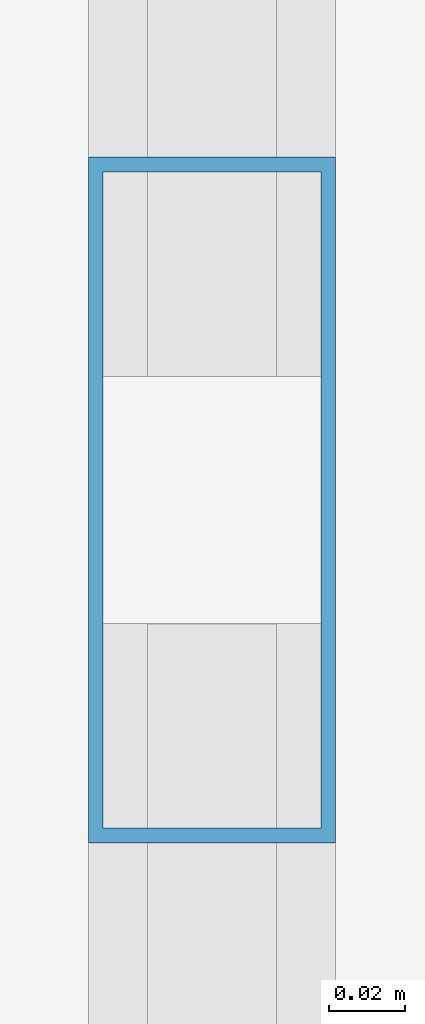
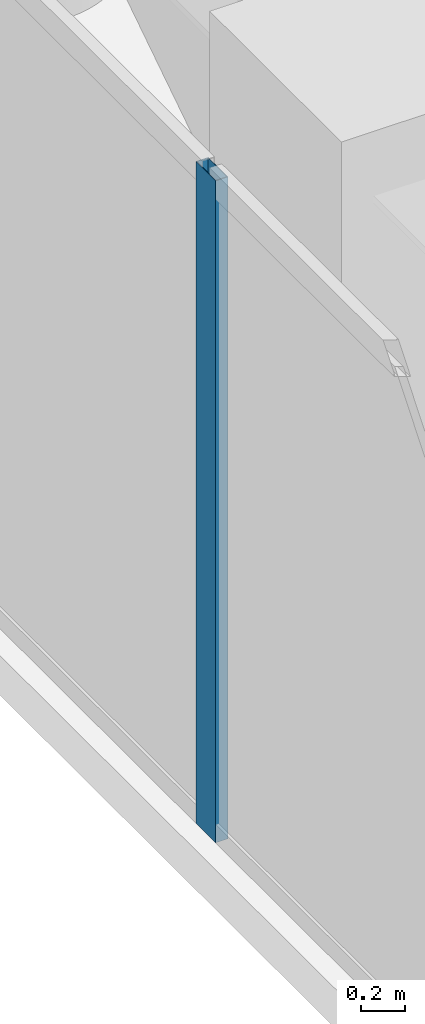
# One storey, part 6 of 21: 1 member, 1 element without a shape of its own.
"""IFC4 building model written with IfcOpenShell, lengths in metres."""

import ifcopenshell
import ifcopenshell.guid

model = None  # the IFC model being written
_history = None  # IfcOwnerHistory: only IFC2X3 demands one
_inside = {}  # id of a spatial element -> (the spatial element, [elements in it])
_under = {}  # id of a project, library or spatial element -> (it, [spatial elements below it])
_declared = {}  # id of a project -> (the project, [libraries it declares])
_typed = {}  # id of a type object -> (the type object, [elements of that type])
_made_of = {}  # id of a material, layer set ... -> (it, [elements and type objects made of it])


def new_model(schema):
    """Start an empty IFC model of exactly this schema.

    Asked for "IFC4X3", IfcOpenShell would pick the latest addendum, in which some entities
    have other attributes; the version numbers below select the first issue.
    IFC2X3 requires an IfcOwnerHistory on every rooted entity: one is made here for all.
    """
    global model, _history
    if schema == "IFC4X3":
        model = ifcopenshell.file(schema_version=(4, 3, 0, 0))
    else:
        model = ifcopenshell.file(schema=schema)
    _inside.clear()
    _under.clear()
    _declared.clear()
    _typed.clear()
    _made_of.clear()
    _history = None
    if model.schema == "IFC2X3":
        org = make("IfcOrganization", Name="unknown")
        user = make(
            "IfcPersonAndOrganization",
            ThePerson=make("IfcPerson", FamilyName="unknown"),
            TheOrganization=org,
        )
        app = make(
            "IfcApplication",
            ApplicationDeveloper=org,
            Version="unknown",
            ApplicationFullName="unknown",
            ApplicationIdentifier="unknown",
        )
        _history = make(
            "IfcOwnerHistory",
            OwningUser=user,
            OwningApplication=app,
            ChangeAction="ADDED",
            CreationDate=0,
        )
    return model


def make(cls, **values):
    """One entity of the class cls with the attributes given. An attribute that is None is left unset."""
    return model.create_entity(
        cls, **{name: value for name, value in values.items() if value is not None}
    )


def rooted(cls, **values):
    """An entity with a GlobalId (a new one), such as an element, a storey or a relation."""
    return make(cls, GlobalId=ifcopenshell.guid.new(), OwnerHistory=_history, **values)


def si_unit(unit_type, name, prefix=None):
    """IfcSIUnit, for example si_unit("LENGTHUNIT", "METRE", prefix="MILLI")."""
    return make("IfcSIUnit", UnitType=unit_type, Prefix=prefix, Name=name)


def assignment(units):
    """IfcUnitAssignment: the units of a project."""
    return None if units is None else make("IfcUnitAssignment", Units=units)


def point(xyz):
    """IfcCartesianPoint."""
    return None if xyz is None else make("IfcCartesianPoint", Coordinates=xyz)


def direction(xyz):
    """IfcDirection."""
    return None if xyz is None else make("IfcDirection", DirectionRatios=xyz)


def frame(location, z_axis=None, x_axis=None):
    """IfcAxis2Placement3D, a coordinate frame: its origin and axes. An axis left out is left unset."""
    return make(
        "IfcAxis2Placement3D",
        Location=point(location),
        Axis=direction(z_axis),
        RefDirection=direction(x_axis),
    )


def frame_2d(location, x_axis=None):
    """IfcAxis2Placement2D, a coordinate frame in the plane: its origin and x axis."""
    return make(
        "IfcAxis2Placement2D", Location=point(location), RefDirection=direction(x_axis)
    )


def origin():
    """The frame at (0, 0, 0) with its axes left unset."""
    return frame((0.0, 0.0, 0.0))


def origin_2d():
    """The frame at (0, 0) in the plane with its x axis left unset."""
    return frame_2d((0.0, 0.0))


def place(relative_to, where):
    """IfcLocalPlacement: puts the frame where relative to a parent placement (None: the world)."""
    return make(
        "IfcLocalPlacement", PlacementRelTo=relative_to, RelativePlacement=where
    )


def context(
    kind, dimensions, precision=None, world=None, true_north=None, identifier=None
):
    """IfcGeometricRepresentationContext, for example the 3D "Model" context."""
    return make(
        "IfcGeometricRepresentationContext",
        ContextIdentifier=identifier,
        ContextType=kind,
        CoordinateSpaceDimension=dimensions,
        Precision=precision,
        WorldCoordinateSystem=world,
        TrueNorth=true_north,
    )


def subcontext(parent, identifier, kind, view, scale=None):
    """IfcGeometricRepresentationSubContext, for example "Body" below "Model"."""
    return make(
        "IfcGeometricRepresentationSubContext",
        ContextIdentifier=identifier,
        ContextType=kind,
        ParentContext=parent,
        TargetScale=scale,
        TargetView=view,
    )


def project(units=None, contexts=None):
    """IfcProject with its units and contexts."""
    return rooted(
        "IfcProject",
        Name="project",
        RepresentationContexts=contexts,
        UnitsInContext=assignment(units),
    )


def spatial(cls, under=None, at=None, **own):
    """A site, building, storey or space (cls), placed at a placement, below another one or the project."""
    s = rooted(cls, ObjectPlacement=at, **own)
    if under is not None:
        _under.setdefault(under.id(), (under, []))[1].append(s)
    return s


def profile(cls, at=None, kind="AREA", **sizes):
    """A parametric profile (cls). Its sizes go by their IFC names, for example OverallWidth=200.0."""
    return make(cls, ProfileType=kind, Position=at, **sizes)


def hollow_rectangle(**sizes):
    """IfcRectangleHollowProfileDef."""
    return profile("IfcRectangleHollowProfileDef", **sizes)


def extrude(swept, where, along, depth):
    """IfcExtrudedAreaSolid: the profile swept, set in the frame where, extruded along a direction by depth."""
    return make(
        "IfcExtrudedAreaSolid",
        SweptArea=swept,
        Position=where,
        ExtrudedDirection=direction(along),
        Depth=depth,
    )


def shape(context_of_items, identifier, shape_type, items):
    """IfcShapeRepresentation: the items that make up one representation, for example the "Body"."""
    return make(
        "IfcShapeRepresentation",
        ContextOfItems=context_of_items,
        RepresentationIdentifier=identifier,
        RepresentationType=shape_type,
        Items=items,
    )


def material(Name=None, Category=None):
    """IfcMaterial."""
    return make("IfcMaterial", Name=Name, Category=Category)


def layer(
    of_material, thickness, ventilated=None, Name=None, Category=None, Priority=None
):
    """IfcMaterialLayer: one layer of a wall or slab, of a material (None: an air gap)."""
    return make(
        "IfcMaterialLayer",
        Material=of_material,
        LayerThickness=thickness,
        IsVentilated=ventilated,
        Name=Name,
        Category=Category,
        Priority=Priority,
    )


def layer_set(layers, Name=None):
    """IfcMaterialLayerSet."""
    return make("IfcMaterialLayerSet", MaterialLayers=layers, LayerSetName=Name)


def material_profile(
    of_material, cross_section, Name=None, Category=None, Priority=None
):
    """IfcMaterialProfile: a cross section and its material."""
    return make(
        "IfcMaterialProfile",
        Name=Name,
        Material=of_material,
        Profile=cross_section,
        Priority=Priority,
        Category=Category,
    )


def profile_set(profiles, Name=None, composite=None):
    """IfcMaterialProfileSet."""
    return make(
        "IfcMaterialProfileSet",
        Name=Name,
        MaterialProfiles=profiles,
        CompositeProfile=composite,
    )


def made_of(thing, what):
    """Note that an element or type object is made of a material, layer set ...; save() writes the relation."""
    if what is not None:
        _made_of.setdefault(what.id(), (what, []))[1].append(thing)
    return thing


def type_object(cls, material=None, **own):
    """A type object (cls), such as IfcWallType, which elements share."""
    return made_of(rooted(cls, **own), material)


def element(
    cls,
    number,
    at=None,
    inside=None,
    cuts=None,
    type_object=None,
    material=None,
    context=None,
    identifier="Body",
    shape_type=None,
    held_by="IfcProductDefinitionShape",
    body=None,
    shapes=None,
    **own,
):
    """One element of the class cls, such as IfcWall. Its Tag is "e" and its number.

    at: its placement. inside: the storey or other place that contains it. cuts: it is an
    opening in that element (IfcRelVoidsElement). A single representation is given by context,
    identifier, shape_type and body (its items); several are given by shapes. held_by: the class
    of the entity that holds the representations. save() writes the other relations.
    """
    e = rooted(cls, Tag="e%d" % number, ObjectPlacement=at, **own)
    if body is not None:
        shapes = [shape(context, identifier, shape_type, body)]
    if shapes is not None:
        e.Representation = make(held_by, Representations=shapes)
    if inside is not None:
        _inside.setdefault(inside.id(), (inside, []))[1].append(e)
    if cuts is not None:
        rooted(
            "IfcRelVoidsElement", RelatingBuildingElement=cuts, RelatedOpeningElement=e
        )
    if type_object is not None:
        _typed.setdefault(type_object.id(), (type_object, []))[1].append(e)
    return made_of(e, material)


def aggregate(whole, parts):
    """IfcRelAggregates: a whole, such as a stair, and the parts it consists of."""
    return rooted("IfcRelAggregates", RelatingObject=whole, RelatedObjects=parts)


def save(model, path):
    """Write the relations noted so far, then the file.

    IfcRelAggregates (storeys below a building ...), IfcRelContainedInSpatialStructure (elements
    in a storey), IfcRelDefinesByType, IfcRelAssociatesMaterial and IfcRelDeclares: one each for
    every whole, place, type object, material and project.
    """
    for whole, parts in _under.values():
        aggregate(whole, parts)
    for where, things in _inside.values():
        rooted(
            "IfcRelContainedInSpatialStructure",
            RelatedElements=things,
            RelatingStructure=where,
        )
    for kind, things in _typed.values():
        rooted("IfcRelDefinesByType", RelatedObjects=things, RelatingType=kind)
    for what, things in _made_of.values():
        rooted("IfcRelAssociatesMaterial", RelatedObjects=things, RelatingMaterial=what)
    for by, libraries in _declared.values():
        rooted("IfcRelDeclares", RelatingContext=by, RelatedDefinitions=libraries)
    model.write(path)


model = new_model("IFC4")

# Units and contexts
model_context = context("Model", 3, precision=1e-05, world=origin(), true_north=direction((0.0, 1.0)))
body_context = subcontext(model_context, "Body", "Model", "MODEL_VIEW")
ifc_project = project(units=[si_unit("LENGTHUNIT", "METRE"), si_unit("AREAUNIT", "SQUARE_METRE"), si_unit("VOLUMEUNIT", "CUBIC_METRE"), si_unit("PLANEANGLEUNIT", "RADIAN"), si_unit("MASSUNIT", "GRAM", prefix="KILO")], contexts=[model_context])

# Site, building, storey
site_placement = place(None, origin())
site = spatial("IfcSite", under=ifc_project, at=site_placement, CompositionType="ELEMENT")
building_placement = place(site_placement, origin())
building = spatial("IfcBuilding", under=site, at=building_placement, Name="Kiyonajd Concourse Tower", CompositionType="ELEMENT")
storey_placement = place(building_placement, frame((0.0, 0.0, 227.10009765625)))
storey = spatial("IfcBuildingStorey", under=building, at=storey_placement, Name="L57", CompositionType="ELEMENT", Elevation=227.10009765625)

# Curtain wall, member
ifc_material = material(Name="Thermally Broken Anodised Aluminium", Category="aluminium")
ifc_layer = layer(ifc_material, 0.179931640625)
ifc_layer_set = layer_set([ifc_layer], Name="Thermally Broken Anodised Aluminium")
curtain_wall_type = type_object("IfcCurtainWallType", Name="CW-SYS-04", PredefinedType="NOTDEFINED", material=ifc_layer_set)
curtain_wall_placement = place(storey_placement, origin())
curtain_wall = element("IfcCurtainWall", 1, at=curtain_wall_placement, inside=storey, type_object=curtain_wall_type, Name="L57 Unitised Curtain Wall CW4", PredefinedType="NOTDEFINED")
ifc_material_profile = material_profile(ifc_material, hollow_rectangle(XDim=0.06494140625, YDim=0.179931640625, WallThickness=0.00390625, at=origin_2d()), Name="MULL-65x180")
ifc_profile_set = profile_set([ifc_material_profile], Name="Thermally Broken Anodised Aluminium")
member_type = type_object("IfcMemberType", Name="MB-CW-MULL1", PredefinedType="MULLION", material=ifc_profile_set)
member_placement = place(storey_placement, frame((25.340087890625, 53.181396484375, 0.0), z_axis=(0.0, 0.0, 1.0), x_axis=(-1.0, 0.0, 0.0)))
member = element("IfcMember", 2, at=member_placement, type_object=member_type, Name="CW4 mullion 6", PredefinedType="MULLION", context=body_context, shape_type="SweptSolid", body=[
    extrude(hollow_rectangle(XDim=0.06494140625, YDim=0.179931640625, WallThickness=0.00390625, at=origin_2d()), origin(), (0.0, 0.0, 1.0), 3.679931640625),
])
aggregate(curtain_wall, [member])

save(model, "model.ifc")
